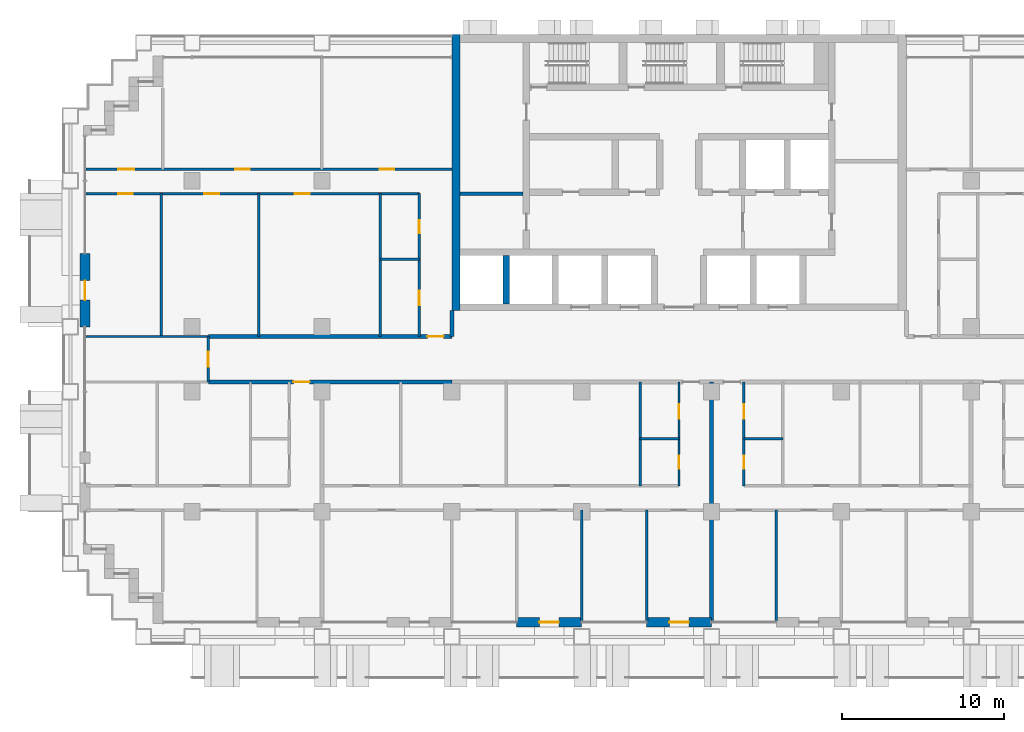
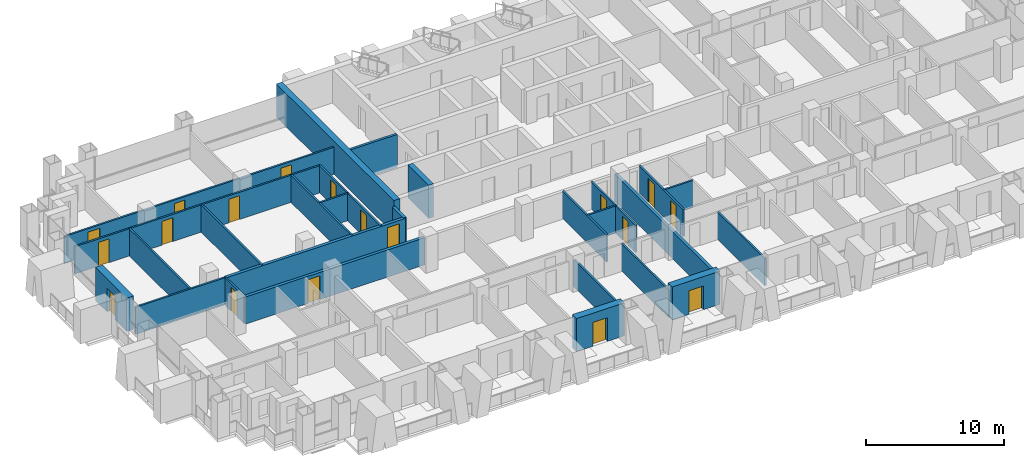
# One storey, part 10 of 18: 27 walls, 18 doors, 18 openings.
"""IFC4 building model written with IfcOpenShell, lengths in metres."""

from ifc_helpers import new_model, si_unit, direction, frame, frame_2d, origin, place, context, subcontext, project, spatial, rectangle, extrude, material, layer, layer_set, type_object, element, fill, save


model = new_model("IFC4")

# Units and contexts
model_context = context("Model", 3, precision=1e-05, world=origin(), true_north=direction((0.0, 1.0)))
body_context = subcontext(model_context, "Body", "Model", "MODEL_VIEW")
ifc_project = project(units=[si_unit("LENGTHUNIT", "METRE"), si_unit("AREAUNIT", "SQUARE_METRE"), si_unit("VOLUMEUNIT", "CUBIC_METRE"), si_unit("PLANEANGLEUNIT", "RADIAN"), si_unit("MASSUNIT", "GRAM", prefix="KILO")], contexts=[model_context])

# Site, building, storey
site_placement = place(None, origin())
site = spatial("IfcSite", under=ifc_project, at=site_placement, CompositionType="ELEMENT")
building_placement = place(site_placement, origin())
building = spatial("IfcBuilding", under=site, at=building_placement, Name="Vidyagriha Tower", CompositionType="ELEMENT")
storey_placement = place(building_placement, frame((0.0, 0.0, 48.0)))
storey = spatial("IfcBuildingStorey", under=building, at=storey_placement, Name="L12", CompositionType="ELEMENT", Elevation=48.0)

# Wall, opening, door
ifc_material_1 = material(Name="Precast concrete C40/50 with brick facing", Category="concrete")
ifc_layer_1 = layer(ifc_material_1, 0.60009765625)
ifc_layer_set_1 = layer_set([ifc_layer_1], Name="Precast concrete C40/50 with brick facing")
wall_type_1 = type_object("IfcWallType", Name="Brick-faced precast wall 600", PredefinedType="STANDARD", material=ifc_layer_set_1)
wall_1_placement = place(storey_placement, frame((-36.60009765625, 6.5, 0.0), z_axis=(0.0, 0.0, 1.0), x_axis=(0.0, -1.0, 0.0)))
wall_1 = element("IfcWall", 1, at=wall_1_placement, inside=storey, type_object=wall_type_1, Name="Brick door bay wall L12 R16.3", PredefinedType="STANDARD", context=body_context, shape_type="SweptSolid", body=[
    extrude(rectangle(XDim=4.5, YDim=0.60009765625, at=frame_2d((2.25, 0.0))), origin(), (0.0, 0.0, 1.0), 2.919921875),
])
opening_1_placement = place(wall_1_placement, frame((1.64990234375, 0.0, 0.0)))
opening_1 = element("IfcOpeningElement", 2, at=opening_1_placement, cuts=wall_1, Name="Opening D12-75", PredefinedType="OPENING", context=body_context, shape_type="SweptSolid", body=[
    extrude(rectangle(XDim=1.199951171875, YDim=2.10009765625, at=frame_2d((0.60009765625, 1.050048828125))), frame((0.0, 0.31005859375, 0.0), z_axis=(0.0, -1.0, 0.0), x_axis=(1.0, 0.0, 0.0)), (0.0, 0.0, 1.0), 0.6201171875),
])
ifc_material_2 = material(Name="Aluminium framed glazed sliding door", Category="aluminium")
door_type_1 = type_object("IfcDoorType", Name="Balcony sliding door 1200x2100", OperationType="NOTDEFINED", PredefinedType="DOOR", material=ifc_material_2)
door_1_placement = place(opening_1_placement, origin())
door_1 = element("IfcDoor", 3, at=door_1_placement, inside=storey, type_object=door_type_1, Name="Door D12-75", OperationType="SLIDING_TO_LEFT", OverallHeight=2.10009765625, OverallWidth=1.199951171875, PredefinedType="DOOR", context=body_context, shape_type="SweptSolid", body=[
    extrude(rectangle(XDim=1.199951171875, YDim=2.10009765625, at=frame_2d((0.60009765625, 1.050048828125))), frame((0.0, 0.02490234375, 0.0), z_axis=(0.0, -1.0, 0.0), x_axis=(1.0, 0.0, 0.0)), (0.0, 0.0, 1.0), 0.050048828125),
])
fill(opening_1, door_1)

wall_2_placement = place(storey_placement, frame((-10.0, -16.199951171875, 0.0)))
wall_2 = element("IfcWall", 4, at=wall_2_placement, inside=storey, type_object=wall_type_1, Name="Brick door bay wall L12 R23.7", PredefinedType="STANDARD", context=body_context, shape_type="SweptSolid", body=[
    extrude(rectangle(XDim=4.0, YDim=0.60009765625, at=frame_2d((2.0, 0.0))), origin(), (0.0, 0.0, 1.0), 2.919921875),
])
opening_2_placement = place(wall_2_placement, frame((1.39990234375, 0.0, 0.0)))
opening_2 = element("IfcOpeningElement", 5, at=opening_2_placement, cuts=wall_2, Name="Opening D12-79", PredefinedType="OPENING", context=body_context, shape_type="SweptSolid", body=[
    extrude(rectangle(XDim=1.199951171875, YDim=2.10009765625, at=frame_2d((0.60009765625, 1.050048828125))), frame((0.0, 0.31005859375, 0.0), z_axis=(0.0, -1.0, 0.0), x_axis=(1.0, 0.0, 0.0)), (0.0, 0.0, 1.0), 0.6201171875),
])
door_2_placement = place(opening_2_placement, origin())
door_2 = element("IfcDoor", 6, at=door_2_placement, inside=storey, type_object=door_type_1, Name="Door D12-79", OperationType="SLIDING_TO_LEFT", OverallHeight=2.10009765625, OverallWidth=1.199951171875, PredefinedType="DOOR", context=body_context, shape_type="SweptSolid", body=[
    extrude(rectangle(XDim=1.199951171875, YDim=2.10009765625, at=frame_2d((0.60009765625, 1.050048828125))), frame((0.0, 0.02490234375, 0.0), z_axis=(0.0, -1.0, 0.0), x_axis=(1.0, 0.0, 0.0)), (0.0, 0.0, 1.0), 0.050048828125),
])
fill(opening_2, door_2)

wall_3_placement = place(storey_placement, frame((-2.0, -16.199951171875, 0.0)))
wall_3 = element("IfcWall", 7, at=wall_3_placement, inside=storey, type_object=wall_type_1, Name="Brick door bay wall L12 R23.9", PredefinedType="STANDARD", context=body_context, shape_type="SweptSolid", body=[
    extrude(rectangle(XDim=4.0, YDim=0.60009765625, at=frame_2d((2.0, 0.0))), origin(), (0.0, 0.0, 1.0), 2.919921875),
])
opening_3_placement = place(wall_3_placement, frame((1.39990234375, 0.0, 0.0)))
opening_3 = element("IfcOpeningElement", 8, at=opening_3_placement, cuts=wall_3, Name="Opening D12-80", PredefinedType="OPENING", context=body_context, shape_type="SweptSolid", body=[
    extrude(rectangle(XDim=1.199951171875, YDim=2.10009765625, at=frame_2d((0.60009765625, 1.050048828125))), frame((0.0, 0.31005859375, 0.0), z_axis=(0.0, -1.0, 0.0), x_axis=(1.0, 0.0, 0.0)), (0.0, 0.0, 1.0), 0.6201171875),
])
door_3_placement = place(opening_3_placement, origin())
door_3 = element("IfcDoor", 9, at=door_3_placement, inside=storey, type_object=door_type_1, Name="Door D12-80", OperationType="SLIDING_TO_LEFT", OverallHeight=2.10009765625, OverallWidth=1.199951171875, PredefinedType="DOOR", context=body_context, shape_type="SweptSolid", body=[
    extrude(rectangle(XDim=1.199951171875, YDim=2.10009765625, at=frame_2d((0.60009765625, 1.050048828125))), frame((0.0, 0.02490234375, 0.0), z_axis=(0.0, -1.0, 0.0), x_axis=(1.0, 0.0, 0.0)), (0.0, 0.0, 1.0), 0.050048828125),
])
fill(opening_3, door_3)

# Walls
ifc_material_3 = material(Name="Concrete C60/75", Category="concrete")
ifc_layer_2 = layer(ifc_material_3, 0.39990234375)
ifc_layer_set_2 = layer_set([ifc_layer_2], Name="Concrete C60/75")
wall_type_2 = type_object("IfcWallType", Name="Core shear wall 400 mm", PredefinedType="SHEAR", material=ifc_layer_set_2)
wall_4_placement = place(storey_placement, frame((-10.655517578125, 3.39990234375, 0.0), z_axis=(0.0, 0.0, 1.0), x_axis=(0.0, 1.0, 0.0)))
element("IfcWall", 10, at=wall_4_placement, inside=storey, type_object=wall_type_2, Name="Core bay wall S1", PredefinedType="SHEAR", context=body_context, shape_type="SweptSolid", body=[
    extrude(rectangle(XDim=3.0, YDim=0.39990234375, at=frame_2d((1.5, 0.0))), origin(), (0.0, 0.0, 1.0), 2.919921875),
])
ifc_material_4 = material(Name="Concrete C60/75", Category="concrete")
ifc_layer_3 = layer(ifc_material_4, 0.5)
ifc_layer_set_3 = layer_set([ifc_layer_3], Name="Concrete C60/75")
wall_type_3 = type_object("IfcWallType", Name="Core shear wall 500 mm", PredefinedType="SHEAR", material=ifc_layer_set_3)
wall_5_placement = place(storey_placement, frame((-13.75, 3.0, 0.0), z_axis=(0.0, 0.0, 1.0), x_axis=(0.0, 1.0, 0.0)))
element("IfcWall", 11, at=wall_5_placement, inside=storey, type_object=wall_type_3, Name="Core west wall", PredefinedType="SHEAR", context=body_context, shape_type="SweptSolid", body=[
    extrude(rectangle(XDim=17.0, YDim=0.5, at=frame_2d((8.5, 0.0))), origin(), (0.0, 0.0, 1.0), 2.919921875),
])

# Wall, opening, door
ifc_material_5 = material(Name="Fired clay brick masonry", Category="masonry")
ifc_layer_4 = layer(ifc_material_5, 0.25)
ifc_layer_set_4 = layer_set([ifc_layer_4], Name="Fired clay brick masonry")
wall_type_4 = type_object("IfcWallType", Name="Fired clay brick corridor wall 250", PredefinedType="PARTITIONING", material=ifc_layer_set_4)
wall_6_placement = place(storey_placement, frame((-14.0, -1.39990234375, 0.0), z_axis=(0.0, 0.0, 1.0), x_axis=(-1.0, 0.0, 0.0)))
wall_6 = element("IfcWall", 12, at=wall_6_placement, inside=storey, type_object=wall_type_4, Name="Wall all-L12-w080", PredefinedType="PARTITIONING", context=body_context, shape_type="SweptSolid", body=[
    extrude(rectangle(XDim=15.0, YDim=0.25, at=frame_2d((7.5, 0.0))), origin(), (0.0, 0.0, 1.0), 2.39990234375),
])
opening_4_placement = place(wall_6_placement, frame((8.760009765625, 0.0, 0.0)))
opening_4 = element("IfcOpeningElement", 13, at=opening_4_placement, cuts=wall_6, Name="Opening D12-20", PredefinedType="OPENING", context=body_context, shape_type="SweptSolid", body=[
    extrude(rectangle(XDim=1.0, YDim=2.10009765625, at=frame_2d((0.5, 1.050048828125))), frame((0.0, 0.135009765625, 0.0), z_axis=(0.0, -1.0, 0.0), x_axis=(1.0, 0.0, 0.0)), (0.0, 0.0, 1.0), 0.27001953125),
])
ifc_material_6 = material(Name="Fire-rated timber door leaf EI 60", Category="wood")
door_type_2 = type_object("IfcDoorType", Name="Flat entrance fire door 1000x2100", OperationType="NOTDEFINED", PredefinedType="DOOR", material=ifc_material_6)
door_4_placement = place(opening_4_placement, origin())
door_4 = element("IfcDoor", 14, at=door_4_placement, inside=storey, type_object=door_type_2, Name="Door D12-20", OperationType="SINGLE_SWING_LEFT", OverallHeight=2.10009765625, OverallWidth=1.0, PredefinedType="DOOR", context=body_context, shape_type="SweptSolid", body=[
    extrude(rectangle(XDim=1.0, YDim=2.10009765625, at=frame_2d((0.5, 1.050048828125))), frame((0.0, 0.02490234375, 0.0), z_axis=(0.0, -1.0, 0.0), x_axis=(1.0, 0.0, 0.0)), (0.0, 0.0, 1.0), 0.050048828125),
])
fill(opening_4, door_4)

wall_7_placement = place(storey_placement, frame((-29.0, 1.39990234375, 0.0)))
wall_7 = element("IfcWall", 15, at=wall_7_placement, inside=storey, type_object=wall_type_4, Name="Wall all-L12-w102", PredefinedType="PARTITIONING", context=body_context, shape_type="SweptSolid", body=[
    extrude(rectangle(XDim=15.0, YDim=0.25, at=frame_2d((7.5, 0.0))), origin(), (0.0, 0.0, 1.0), 2.39990234375),
])
opening_5_placement = place(wall_7_placement, frame((13.5, 0.0, 0.0)))
opening_5 = element("IfcOpeningElement", 16, at=opening_5_placement, cuts=wall_7, Name="Opening D12-59", PredefinedType="OPENING", context=body_context, shape_type="SweptSolid", body=[
    extrude(rectangle(XDim=1.0, YDim=2.10009765625, at=frame_2d((0.5, 1.050048828125))), frame((0.0, 0.135009765625, 0.0), z_axis=(0.0, -1.0, 0.0), x_axis=(1.0, 0.0, 0.0)), (0.0, 0.0, 1.0), 0.27001953125),
])
door_5_placement = place(opening_5_placement, origin())
door_5 = element("IfcDoor", 17, at=door_5_placement, inside=storey, type_object=door_type_2, Name="Door D12-59", OperationType="SINGLE_SWING_RIGHT", OverallHeight=2.10009765625, OverallWidth=1.0, PredefinedType="DOOR", context=body_context, shape_type="SweptSolid", body=[
    extrude(rectangle(XDim=1.0, YDim=2.10009765625, at=frame_2d((0.5, 1.050048828125))), frame((0.0, 0.02490234375, 0.0), z_axis=(0.0, -1.0, 0.0), x_axis=(1.0, 0.0, 0.0)), (0.0, 0.0, 1.0), 0.050048828125),
])
fill(opening_5, door_5)

# Walls
wall_8_placement = place(storey_placement, frame((-14.0, 3.0, 0.0), z_axis=(0.0, 0.0, 1.0), x_axis=(0.0, -1.0, 0.0)))
element("IfcWall", 18, at=wall_8_placement, inside=storey, type_object=wall_type_4, Name="Wall all-L12-w138", PredefinedType="PARTITIONING", context=body_context, shape_type="SweptSolid", body=[
    extrude(rectangle(XDim=1.60009765625, YDim=0.25, at=frame_2d((0.800048828125, 0.0))), origin(), (0.0, 0.0, 1.0), 2.39990234375),
])
ifc_material_7 = material(Name="Fired clay brick masonry", Category="masonry")
ifc_layer_5 = layer(ifc_material_7, 0.25)
ifc_layer_set_5 = layer_set([ifc_layer_5], Name="Fired clay brick masonry")
wall_type_5 = type_object("IfcWallType", Name="Fired clay brick demising wall 250", PredefinedType="PARTITIONING", material=ifc_layer_set_5)
wall_9_placement = place(storey_placement, frame((2.0, -1.39990234375, 0.0), z_axis=(0.0, 0.0, 1.0), x_axis=(0.0, -1.0, 0.0)))
element("IfcWall", 19, at=wall_9_placement, inside=storey, type_object=wall_type_5, Name="Wall all-L12-w060", PredefinedType="PARTITIONING", context=body_context, shape_type="SweptSolid", body=[
    extrude(rectangle(XDim=14.710205078125, YDim=0.25, at=frame_2d((7.35498046875, 0.0))), origin(), (0.0, 0.0, 1.0), 2.39990234375),
])
ifc_material_8 = material(Name="Gypsum board partition")
ifc_layer_6 = layer(ifc_material_8, 0.14990234375)
ifc_layer_set_6 = layer_set([ifc_layer_6], Name="Gypsum board partition")
wall_type_6 = type_object("IfcWallType", Name="Gypsum board partition 150", PredefinedType="PARTITIONING", material=ifc_layer_set_6)
wall_10_placement = place(storey_placement, frame((0.0, -4.89990234375, 0.0), z_axis=(0.0, 0.0, 1.0), x_axis=(-1.0, 0.0, 0.0)))
element("IfcWall", 20, at=wall_10_placement, inside=storey, type_object=wall_type_6, Name="Wall all-L12-w020", PredefinedType="PARTITIONING", context=body_context, shape_type="SweptSolid", body=[
    extrude(rectangle(XDim=2.39990234375, YDim=0.14990234375, at=frame_2d((1.199951171875, 0.0))), origin(), (0.0, 0.0, 1.0), 2.39990234375),
])
wall_11_placement = place(storey_placement, frame((-2.39990234375, -7.800048828125, 0.0), z_axis=(0.0, 0.0, 1.0), x_axis=(0.0, 1.0, 0.0)))
element("IfcWall", 21, at=wall_11_placement, inside=storey, type_object=wall_type_6, Name="Wall all-L12-w021", PredefinedType="PARTITIONING", context=body_context, shape_type="SweptSolid", body=[
    extrude(rectangle(XDim=6.400146484375, YDim=0.14990234375, at=frame_2d((3.2001953125, 0.0))), origin(), (0.0, 0.0, 1.0), 2.39990234375),
])
wall_12_placement = place(storey_placement, frame((-6.0, -9.300048828125, 0.0), z_axis=(0.0, 0.0, 1.0), x_axis=(0.0, -1.0, 0.0)))
element("IfcWall", 22, at=wall_12_placement, inside=storey, type_object=wall_type_6, Name="Wall all-L12-w036", PredefinedType="PARTITIONING", context=body_context, shape_type="SweptSolid", body=[
    extrude(rectangle(XDim=6.81005859375, YDim=0.14990234375, at=frame_2d((3.405029296875, 0.0))), origin(), (0.0, 0.0, 1.0), 2.39990234375),
])
wall_13_placement = place(storey_placement, frame((-2.0, -9.300048828125, 0.0), z_axis=(0.0, 0.0, 1.0), x_axis=(0.0, -1.0, 0.0)))
element("IfcWall", 23, at=wall_13_placement, inside=storey, type_object=wall_type_6, Name="Wall all-L12-w037", PredefinedType="PARTITIONING", context=body_context, shape_type="SweptSolid", body=[
    extrude(rectangle(XDim=6.821044921875, YDim=0.14990234375, at=frame_2d((3.41064453125, 0.0))), origin(), (0.0, 0.0, 1.0), 2.39990234375),
])
wall_14_placement = place(storey_placement, frame((6.39990234375, -4.89990234375, 0.0), z_axis=(0.0, 0.0, 1.0), x_axis=(-1.0, 0.0, 0.0)))
element("IfcWall", 24, at=wall_14_placement, inside=storey, type_object=wall_type_6, Name="Wall all-L12-w043", PredefinedType="PARTITIONING", context=body_context, shape_type="SweptSolid", body=[
    extrude(rectangle(XDim=2.39990234375, YDim=0.14990234375, at=frame_2d((1.199951171875, 0.0))), origin(), (0.0, 0.0, 1.0), 2.39990234375),
])
wall_15_placement = place(storey_placement, frame((6.0, -9.300048828125, 0.0), z_axis=(0.0, 0.0, 1.0), x_axis=(0.0, -1.0, 0.0)))
element("IfcWall", 25, at=wall_15_placement, inside=storey, type_object=wall_type_6, Name="Wall all-L12-w056", PredefinedType="PARTITIONING", context=body_context, shape_type="SweptSolid", body=[
    extrude(rectangle(XDim=6.821044921875, YDim=0.14990234375, at=frame_2d((3.41064453125, 0.0))), origin(), (0.0, 0.0, 1.0), 2.39990234375),
])
wall_16_placement = place(storey_placement, frame((-18.39990234375, 6.14990234375, 0.0)))
element("IfcWall", 26, at=wall_16_placement, inside=storey, type_object=wall_type_6, Name="Wall all-L12-w087", PredefinedType="PARTITIONING", context=body_context, shape_type="SweptSolid", body=[
    extrude(rectangle(XDim=2.39990234375, YDim=0.14990234375, at=frame_2d((1.199951171875, 0.0))), origin(), (0.0, 0.0, 1.0), 2.39990234375),
])
for number, where, z_axis, x_axis, name in (
    (27, (-18.39990234375, 1.39990234375, 0.0), (0.0, 0.0, 1.0), (0.0, 1.0, 0.0), "Wall all-L12-w088"),
    (28, (-25.89990234375, 1.39990234375, 0.0), (0.0, 0.0, 1.0), (0.0, 1.0, 0.0), "Wall all-L12-w089"),
    (29, (-31.89990234375, 1.39990234375, 0.0), (0.0, 0.0, 1.0), (0.0, 1.0, 0.0), "Wall all-L12-w090"),
):
    element("IfcWall", number, at=place(storey_placement, frame(where, z_axis=z_axis, x_axis=x_axis)), inside=storey, type_object=wall_type_6, Name=name, PredefinedType="PARTITIONING", context=body_context, shape_type="SweptSolid", body=[
        extrude(rectangle(XDim=8.800048828125, YDim=0.14990234375, at=frame_2d((4.39990234375, 0.0))), origin(), (0.0, 0.0, 1.0), 2.39990234375),
    ])

# Wall, openings, doors
wall_17_placement = place(storey_placement, frame((-16.0, 10.199951171875, 0.0), z_axis=(0.0, 0.0, 1.0), x_axis=(-1.0, 0.0, 0.0)))
wall_17 = element("IfcWall", 30, at=wall_17_placement, inside=storey, type_object=wall_type_6, Name="Wall all-L12-w091", PredefinedType="PARTITIONING", context=body_context, shape_type="SweptSolid", body=[
    extrude(rectangle(XDim=20.52001953125, YDim=0.14990234375, at=frame_2d((10.260009765625, 0.0))), origin(), (0.0, 0.0, 1.0), 2.39990234375),
])
opening_6_placement = place(wall_17_placement, frame((6.760009765625, 0.0, 0.0)))
opening_6 = element("IfcOpeningElement", 31, at=opening_6_placement, cuts=wall_17, Name="Opening D12-53", PredefinedType="OPENING", context=body_context, shape_type="SweptSolid", body=[
    extrude(rectangle(XDim=0.89990234375, YDim=2.10009765625, at=frame_2d((0.449951171875, 1.050048828125))), frame((0.0, 0.0849609375, 0.0), z_axis=(0.0, -1.0, 0.0), x_axis=(1.0, 0.0, 0.0)), (0.0, 0.0, 1.0), 0.169921875),
])
opening_7_placement = place(wall_17_placement, frame((12.340087890625, 0.0, 0.0)))
opening_7 = element("IfcOpeningElement", 32, at=opening_7_placement, cuts=wall_17, Name="Opening D12-54", PredefinedType="OPENING", context=body_context, shape_type="SweptSolid", body=[
    extrude(rectangle(XDim=0.89990234375, YDim=2.10009765625, at=frame_2d((0.449951171875, 1.050048828125))), frame((0.0, 0.0849609375, 0.0), z_axis=(0.0, -1.0, 0.0), x_axis=(1.0, 0.0, 0.0)), (0.0, 0.0, 1.0), 0.169921875),
])
opening_8_placement = place(wall_17_placement, frame((17.64990234375, 0.0, 0.0)))
opening_8 = element("IfcOpeningElement", 33, at=opening_8_placement, cuts=wall_17, Name="Opening D12-55", PredefinedType="OPENING", context=body_context, shape_type="SweptSolid", body=[
    extrude(rectangle(XDim=0.89990234375, YDim=2.10009765625, at=frame_2d((0.449951171875, 1.050048828125))), frame((0.0, 0.0849609375, 0.0), z_axis=(0.0, -1.0, 0.0), x_axis=(1.0, 0.0, 0.0)), (0.0, 0.0, 1.0), 0.169921875),
])
ifc_material_9 = material(Name="Timber door leaf", Category="wood")
door_type_3 = type_object("IfcDoorType", Name="Room door 900x2100", OperationType="NOTDEFINED", PredefinedType="DOOR", material=ifc_material_9)
door_6_placement = place(opening_6_placement, origin())
door_6 = element("IfcDoor", 34, at=door_6_placement, inside=storey, type_object=door_type_3, Name="Door D12-53", OperationType="SINGLE_SWING_RIGHT", OverallHeight=2.10009765625, OverallWidth=0.89990234375, PredefinedType="DOOR", context=body_context, shape_type="SweptSolid", body=[
    extrude(rectangle(XDim=0.89990234375, YDim=2.10009765625, at=frame_2d((0.449951171875, 1.050048828125))), frame((0.0, 0.02490234375, 0.0), z_axis=(0.0, -1.0, 0.0), x_axis=(1.0, 0.0, 0.0)), (0.0, 0.0, 1.0), 0.050048828125),
])
fill(opening_6, door_6)
door_7_placement = place(opening_7_placement, origin())
door_7 = element("IfcDoor", 35, at=door_7_placement, inside=storey, type_object=door_type_3, Name="Door D12-54", OperationType="SINGLE_SWING_LEFT", OverallHeight=2.10009765625, OverallWidth=0.89990234375, PredefinedType="DOOR", context=body_context, shape_type="SweptSolid", body=[
    extrude(rectangle(XDim=0.89990234375, YDim=2.10009765625, at=frame_2d((0.449951171875, 1.050048828125))), frame((0.0, 0.02490234375, 0.0), z_axis=(0.0, -1.0, 0.0), x_axis=(1.0, 0.0, 0.0)), (0.0, 0.0, 1.0), 0.050048828125),
])
fill(opening_7, door_7)
door_8_placement = place(opening_8_placement, origin())
door_8 = element("IfcDoor", 36, at=door_8_placement, inside=storey, type_object=door_type_3, Name="Door D12-55", OperationType="SINGLE_SWING_RIGHT", OverallHeight=2.10009765625, OverallWidth=0.89990234375, PredefinedType="DOOR", context=body_context, shape_type="SweptSolid", body=[
    extrude(rectangle(XDim=0.89990234375, YDim=2.10009765625, at=frame_2d((0.449951171875, 1.050048828125))), frame((0.0, 0.02490234375, 0.0), z_axis=(0.0, -1.0, 0.0), x_axis=(1.0, 0.0, 0.0)), (0.0, 0.0, 1.0), 0.050048828125),
])
fill(opening_8, door_8)

wall_18_placement = place(storey_placement, frame((-36.52001953125, 11.699951171875, 0.0)))
wall_18 = element("IfcWall", 37, at=wall_18_placement, inside=storey, type_object=wall_type_6, Name="Wall all-L12-w095", PredefinedType="PARTITIONING", context=body_context, shape_type="SweptSolid", body=[
    extrude(rectangle(XDim=22.52001953125, YDim=0.14990234375, at=frame_2d((11.260009765625, 0.0))), origin(), (0.0, 0.0, 1.0), 2.39990234375),
])
opening_9_placement = place(wall_18_placement, frame((1.969970703125, 0.0, 0.0)))
opening_9 = element("IfcOpeningElement", 38, at=opening_9_placement, cuts=wall_18, Name="Opening D12-56", PredefinedType="OPENING", context=body_context, shape_type="SweptSolid", body=[
    extrude(rectangle(XDim=1.0, YDim=2.10009765625, at=frame_2d((0.5, 1.050048828125))), frame((0.0, 0.0849609375, 0.0), z_axis=(0.0, -1.0, 0.0), x_axis=(1.0, 0.0, 0.0)), (0.0, 0.0, 1.0), 0.169921875),
])
opening_10_placement = place(wall_18_placement, frame((9.169921875, 0.0, 0.0)))
opening_10 = element("IfcOpeningElement", 39, at=opening_10_placement, cuts=wall_18, Name="Opening D12-57", PredefinedType="OPENING", context=body_context, shape_type="SweptSolid", body=[
    extrude(rectangle(XDim=0.89990234375, YDim=2.10009765625, at=frame_2d((0.449951171875, 1.050048828125))), frame((0.0, 0.0849609375, 0.0), z_axis=(0.0, -1.0, 0.0), x_axis=(1.0, 0.0, 0.0)), (0.0, 0.0, 1.0), 0.169921875),
])
opening_11_placement = place(wall_18_placement, frame((18.070068359375, 0.0, 0.0)))
opening_11 = element("IfcOpeningElement", 40, at=opening_11_placement, cuts=wall_18, Name="Opening D12-58", PredefinedType="OPENING", context=body_context, shape_type="SweptSolid", body=[
    extrude(rectangle(XDim=0.89990234375, YDim=2.10009765625, at=frame_2d((0.449951171875, 1.050048828125))), frame((0.0, 0.0849609375, 0.0), z_axis=(0.0, -1.0, 0.0), x_axis=(1.0, 0.0, 0.0)), (0.0, 0.0, 1.0), 0.169921875),
])
ifc_material_10 = material(Name="Timber door leaf", Category="wood")
door_type_4 = type_object("IfcDoorType", Name="Room door 1000x2100", OperationType="NOTDEFINED", PredefinedType="DOOR", material=ifc_material_10)
door_9_placement = place(opening_9_placement, origin())
door_9 = element("IfcDoor", 41, at=door_9_placement, inside=storey, type_object=door_type_4, Name="Door D12-56", OperationType="SINGLE_SWING_RIGHT", OverallHeight=2.10009765625, OverallWidth=1.0, PredefinedType="DOOR", context=body_context, shape_type="SweptSolid", body=[
    extrude(rectangle(XDim=1.0, YDim=2.10009765625, at=frame_2d((0.5, 1.050048828125))), frame((0.0, 0.02490234375, 0.0), z_axis=(0.0, -1.0, 0.0), x_axis=(1.0, 0.0, 0.0)), (0.0, 0.0, 1.0), 0.050048828125),
])
fill(opening_9, door_9)
door_10_placement = place(opening_10_placement, origin())
door_10 = element("IfcDoor", 42, at=door_10_placement, inside=storey, type_object=door_type_3, Name="Door D12-57", OperationType="SINGLE_SWING_RIGHT", OverallHeight=2.10009765625, OverallWidth=0.89990234375, PredefinedType="DOOR", context=body_context, shape_type="SweptSolid", body=[
    extrude(rectangle(XDim=0.89990234375, YDim=2.10009765625, at=frame_2d((0.449951171875, 1.050048828125))), frame((0.0, 0.02490234375, 0.0), z_axis=(0.0, -1.0, 0.0), x_axis=(1.0, 0.0, 0.0)), (0.0, 0.0, 1.0), 0.050048828125),
])
fill(opening_10, door_10)
door_11_placement = place(opening_11_placement, origin())
door_11 = element("IfcDoor", 43, at=door_11_placement, inside=storey, type_object=door_type_3, Name="Door D12-58", OperationType="SINGLE_SWING_RIGHT", OverallHeight=2.10009765625, OverallWidth=0.89990234375, PredefinedType="DOOR", context=body_context, shape_type="SweptSolid", body=[
    extrude(rectangle(XDim=0.89990234375, YDim=2.10009765625, at=frame_2d((0.449951171875, 1.050048828125))), frame((0.0, 0.02490234375, 0.0), z_axis=(0.0, -1.0, 0.0), x_axis=(1.0, 0.0, 0.0)), (0.0, 0.0, 1.0), 0.050048828125),
])
fill(opening_11, door_11)

# Wall
wall_19_placement = place(storey_placement, frame((-36.52001953125, 1.39990234375, 0.0)))
element("IfcWall", 44, at=wall_19_placement, inside=storey, type_object=wall_type_6, Name="Wall all-L12-w103", PredefinedType="PARTITIONING", context=body_context, shape_type="SweptSolid", body=[
    extrude(rectangle(XDim=7.52001953125, YDim=0.14990234375, at=frame_2d((3.760009765625, 0.0))), origin(), (0.0, 0.0, 1.0), 2.39990234375),
])

# Wall, opening, door
wall_20_placement = place(storey_placement, frame((-29.0, 1.39990234375, 0.0), z_axis=(0.0, 0.0, 1.0), x_axis=(0.0, -1.0, 0.0)))
wall_20 = element("IfcWall", 45, at=wall_20_placement, inside=storey, type_object=wall_type_6, Name="Wall all-L12-w133", PredefinedType="PARTITIONING", context=body_context, shape_type="SweptSolid", body=[
    extrude(rectangle(XDim=2.7998046875, YDim=0.14990234375, at=frame_2d((1.39990234375, 0.0))), origin(), (0.0, 0.0, 1.0), 2.39990234375),
])
opening_12_placement = place(wall_20_placement, frame((0.949951171875, 0.0, 0.0)))
opening_12 = element("IfcOpeningElement", 46, at=opening_12_placement, cuts=wall_20, Name="Opening D12-73", PredefinedType="OPENING", context=body_context, shape_type="SweptSolid", body=[
    extrude(rectangle(XDim=0.89990234375, YDim=2.10009765625, at=frame_2d((0.449951171875, 1.050048828125))), frame((0.0, 0.0849609375, 0.0), z_axis=(0.0, -1.0, 0.0), x_axis=(1.0, 0.0, 0.0)), (0.0, 0.0, 1.0), 0.169921875),
])
door_12_placement = place(opening_12_placement, origin())
door_12 = element("IfcDoor", 47, at=door_12_placement, inside=storey, type_object=door_type_3, Name="Door D12-73", OperationType="SINGLE_SWING_RIGHT", OverallHeight=2.10009765625, OverallWidth=0.89990234375, PredefinedType="DOOR", context=body_context, shape_type="SweptSolid", body=[
    extrude(rectangle(XDim=0.89990234375, YDim=2.10009765625, at=frame_2d((0.449951171875, 1.050048828125))), frame((0.0, 0.02490234375, 0.0), z_axis=(0.0, -1.0, 0.0), x_axis=(1.0, 0.0, 0.0)), (0.0, 0.0, 1.0), 0.050048828125),
])
fill(opening_12, door_12)

# Wall, openings, doors
ifc_material_11 = material(Name="Moisture resistant gypsum board partition")
ifc_layer_7 = layer(ifc_material_11, 0.14990234375)
ifc_layer_set_7 = layer_set([ifc_layer_7], Name="Moisture resistant gypsum board partition")
wall_type_7 = type_object("IfcWallType", Name="Gypsum board wet-area partition 150", PredefinedType="PARTITIONING", material=ifc_layer_set_7)
wall_21_placement = place(storey_placement, frame((0.0, -7.800048828125, 0.0), z_axis=(0.0, 0.0, 1.0), x_axis=(0.0, 1.0, 0.0)))
wall_21 = element("IfcWall", 48, at=wall_21_placement, inside=storey, type_object=wall_type_7, Name="Wall all-L12-w017", PredefinedType="PARTITIONING", context=body_context, shape_type="SweptSolid", body=[
    extrude(rectangle(XDim=6.400146484375, YDim=0.14990234375, at=frame_2d((3.2001953125, 0.0))), origin(), (0.0, 0.0, 1.0), 2.39990234375),
])
opening_13_placement = place(wall_21_placement, frame((4.139892578125, 0.0, 0.0)))
opening_13 = element("IfcOpeningElement", 49, at=opening_13_placement, cuts=wall_21, Name="Opening D12-21", PredefinedType="OPENING", context=body_context, shape_type="SweptSolid", body=[
    extrude(rectangle(XDim=0.89990234375, YDim=2.10009765625, at=frame_2d((0.449951171875, 1.050048828125))), frame((0.0, 0.0849609375, 0.0), z_axis=(0.0, -1.0, 0.0), x_axis=(1.0, 0.0, 0.0)), (0.0, 0.0, 1.0), 0.169921875),
])
opening_14_placement = place(wall_21_placement, frame((1.050048828125, 0.0, 0.0)))
opening_14 = element("IfcOpeningElement", 50, at=opening_14_placement, cuts=wall_21, Name="Opening D12-22", PredefinedType="OPENING", context=body_context, shape_type="SweptSolid", body=[
    extrude(rectangle(XDim=0.800048828125, YDim=2.10009765625, at=frame_2d((0.39990234375, 1.050048828125))), frame((0.0, 0.0849609375, 0.0), z_axis=(0.0, -1.0, 0.0), x_axis=(1.0, 0.0, 0.0)), (0.0, 0.0, 1.0), 0.169921875),
])
ifc_material_12 = material(Name="Timber door leaf", Category="wood")
door_type_5 = type_object("IfcDoorType", Name="Bathroom door 800x2100", OperationType="NOTDEFINED", PredefinedType="DOOR", material=ifc_material_12)
door_13_placement = place(opening_14_placement, origin())
door_13 = element("IfcDoor", 51, at=door_13_placement, inside=storey, type_object=door_type_5, Name="Door D12-22", OperationType="SINGLE_SWING_RIGHT", OverallHeight=2.10009765625, OverallWidth=0.800048828125, PredefinedType="DOOR", context=body_context, shape_type="SweptSolid", body=[
    extrude(rectangle(XDim=0.800048828125, YDim=2.10009765625, at=frame_2d((0.39990234375, 1.050048828125))), frame((0.0, 0.02490234375, 0.0), z_axis=(0.0, -1.0, 0.0), x_axis=(1.0, 0.0, 0.0)), (0.0, 0.0, 1.0), 0.050048828125),
])
fill(opening_14, door_13)
ifc_material_13 = material(Name="Timber door leaf", Category="wood")
door_type_6 = type_object("IfcDoorType", Name="Kitchen door 900x2100", OperationType="NOTDEFINED", PredefinedType="DOOR", material=ifc_material_13)
door_14_placement = place(opening_13_placement, origin())
door_14 = element("IfcDoor", 52, at=door_14_placement, inside=storey, type_object=door_type_6, Name="Door D12-21", OperationType="SINGLE_SWING_LEFT", OverallHeight=2.10009765625, OverallWidth=0.89990234375, PredefinedType="DOOR", context=body_context, shape_type="SweptSolid", body=[
    extrude(rectangle(XDim=0.89990234375, YDim=2.10009765625, at=frame_2d((0.449951171875, 1.050048828125))), frame((0.0, 0.02490234375, 0.0), z_axis=(0.0, -1.0, 0.0), x_axis=(1.0, 0.0, 0.0)), (0.0, 0.0, 1.0), 0.050048828125),
])
fill(opening_13, door_14)

wall_22_placement = place(storey_placement, frame((4.0, -1.39990234375, 0.0), z_axis=(0.0, 0.0, 1.0), x_axis=(0.0, -1.0, 0.0)))
wall_22 = element("IfcWall", 53, at=wall_22_placement, inside=storey, type_object=wall_type_7, Name="Wall all-L12-w040", PredefinedType="PARTITIONING", context=body_context, shape_type="SweptSolid", body=[
    extrude(rectangle(XDim=6.400146484375, YDim=0.14990234375, at=frame_2d((3.2001953125, 0.0))), origin(), (0.0, 0.0, 1.0), 2.39990234375),
])
opening_15_placement = place(wall_22_placement, frame((1.360107421875, 0.0, 0.0)))
opening_15 = element("IfcOpeningElement", 54, at=opening_15_placement, cuts=wall_22, Name="Opening D12-32", PredefinedType="OPENING", context=body_context, shape_type="SweptSolid", body=[
    extrude(rectangle(XDim=0.89990234375, YDim=2.10009765625, at=frame_2d((0.449951171875, 1.050048828125))), frame((0.0, 0.0849609375, 0.0), z_axis=(0.0, -1.0, 0.0), x_axis=(1.0, 0.0, 0.0)), (0.0, 0.0, 1.0), 0.169921875),
])
opening_16_placement = place(wall_22_placement, frame((4.550048828125, 0.0, 0.0)))
opening_16 = element("IfcOpeningElement", 55, at=opening_16_placement, cuts=wall_22, Name="Opening D12-33", PredefinedType="OPENING", context=body_context, shape_type="SweptSolid", body=[
    extrude(rectangle(XDim=0.800048828125, YDim=2.10009765625, at=frame_2d((0.39990234375, 1.050048828125))), frame((0.0, 0.0849609375, 0.0), z_axis=(0.0, -1.0, 0.0), x_axis=(1.0, 0.0, 0.0)), (0.0, 0.0, 1.0), 0.169921875),
])
door_15_placement = place(opening_16_placement, origin())
door_15 = element("IfcDoor", 56, at=door_15_placement, inside=storey, type_object=door_type_5, Name="Door D12-33", OperationType="SINGLE_SWING_LEFT", OverallHeight=2.10009765625, OverallWidth=0.800048828125, PredefinedType="DOOR", context=body_context, shape_type="SweptSolid", body=[
    extrude(rectangle(XDim=0.800048828125, YDim=2.10009765625, at=frame_2d((0.39990234375, 1.050048828125))), frame((0.0, 0.02490234375, 0.0), z_axis=(0.0, -1.0, 0.0), x_axis=(1.0, 0.0, 0.0)), (0.0, 0.0, 1.0), 0.050048828125),
])
fill(opening_16, door_15)
door_16_placement = place(opening_15_placement, origin())
door_16 = element("IfcDoor", 57, at=door_16_placement, inside=storey, type_object=door_type_6, Name="Door D12-32", OperationType="SINGLE_SWING_RIGHT", OverallHeight=2.10009765625, OverallWidth=0.89990234375, PredefinedType="DOOR", context=body_context, shape_type="SweptSolid", body=[
    extrude(rectangle(XDim=0.89990234375, YDim=2.10009765625, at=frame_2d((0.449951171875, 1.050048828125))), frame((0.0, 0.02490234375, 0.0), z_axis=(0.0, -1.0, 0.0), x_axis=(1.0, 0.0, 0.0)), (0.0, 0.0, 1.0), 0.050048828125),
])
fill(opening_15, door_16)

wall_23_placement = place(storey_placement, frame((-16.0, 1.39990234375, 0.0), z_axis=(0.0, 0.0, 1.0), x_axis=(0.0, 1.0, 0.0)))
wall_23 = element("IfcWall", 58, at=wall_23_placement, inside=storey, type_object=wall_type_7, Name="Wall all-L12-w084", PredefinedType="PARTITIONING", context=body_context, shape_type="SweptSolid", body=[
    extrude(rectangle(XDim=8.800048828125, YDim=0.14990234375, at=frame_2d((4.39990234375, 0.0))), origin(), (0.0, 0.0, 1.0), 2.39990234375),
])
opening_17_placement = place(wall_23_placement, frame((1.925048828125, 0.0, 0.0)))
opening_17 = element("IfcOpeningElement", 59, at=opening_17_placement, cuts=wall_23, Name="Opening D12-51", PredefinedType="OPENING", context=body_context, shape_type="SweptSolid", body=[
    extrude(rectangle(XDim=0.89990234375, YDim=2.10009765625, at=frame_2d((0.449951171875, 1.050048828125))), frame((0.0, 0.0849609375, 0.0), z_axis=(0.0, -1.0, 0.0), x_axis=(1.0, 0.0, 0.0)), (0.0, 0.0, 1.0), 0.169921875),
])
opening_18_placement = place(wall_23_placement, frame((6.375, 0.0, 0.0)))
opening_18 = element("IfcOpeningElement", 60, at=opening_18_placement, cuts=wall_23, Name="Opening D12-52", PredefinedType="OPENING", context=body_context, shape_type="SweptSolid", body=[
    extrude(rectangle(XDim=0.800048828125, YDim=2.10009765625, at=frame_2d((0.39990234375, 1.050048828125))), frame((0.0, 0.0849609375, 0.0), z_axis=(0.0, -1.0, 0.0), x_axis=(1.0, 0.0, 0.0)), (0.0, 0.0, 1.0), 0.169921875),
])
door_17_placement = place(opening_18_placement, origin())
door_17 = element("IfcDoor", 61, at=door_17_placement, inside=storey, type_object=door_type_5, Name="Door D12-52", OperationType="SINGLE_SWING_RIGHT", OverallHeight=2.10009765625, OverallWidth=0.800048828125, PredefinedType="DOOR", context=body_context, shape_type="SweptSolid", body=[
    extrude(rectangle(XDim=0.800048828125, YDim=2.10009765625, at=frame_2d((0.39990234375, 1.050048828125))), frame((0.0, 0.02490234375, 0.0), z_axis=(0.0, -1.0, 0.0), x_axis=(1.0, 0.0, 0.0)), (0.0, 0.0, 1.0), 0.050048828125),
])
fill(opening_18, door_17)
door_18_placement = place(opening_17_placement, origin())
door_18 = element("IfcDoor", 62, at=door_18_placement, inside=storey, type_object=door_type_6, Name="Door D12-51", OperationType="SINGLE_SWING_LEFT", OverallHeight=2.10009765625, OverallWidth=0.89990234375, PredefinedType="DOOR", context=body_context, shape_type="SweptSolid", body=[
    extrude(rectangle(XDim=0.89990234375, YDim=2.10009765625, at=frame_2d((0.449951171875, 1.050048828125))), frame((0.0, 0.02490234375, 0.0), z_axis=(0.0, -1.0, 0.0), x_axis=(1.0, 0.0, 0.0)), (0.0, 0.0, 1.0), 0.050048828125),
])
fill(opening_17, door_18)

# Wall
ifc_material_14 = material(Name="Blockwork 15 MPa", Category="masonry")
ifc_layer_8 = layer(ifc_material_14, 0.199951171875)
ifc_layer_set_8 = layer_set([ifc_layer_8], Name="Blockwork 15 MPa")
wall_type_8 = type_object("IfcWallType", Name="Service room partition 200 mm", PredefinedType="PARTITIONING", material=ifc_layer_set_8)
wall_24_placement = place(storey_placement, frame((-13.5, 10.199951171875, 0.0)))
element("IfcWall", 63, at=wall_24_placement, inside=storey, type_object=wall_type_8, Name="Core room partition W1", PredefinedType="PARTITIONING", context=body_context, shape_type="SweptSolid", body=[
    extrude(rectangle(XDim=3.89990234375, YDim=0.199951171875, at=frame_2d((1.949951171875, 0.0))), origin(), (0.0, 0.0, 1.0), 2.919921875),
])

save(model, "model.ifc")
